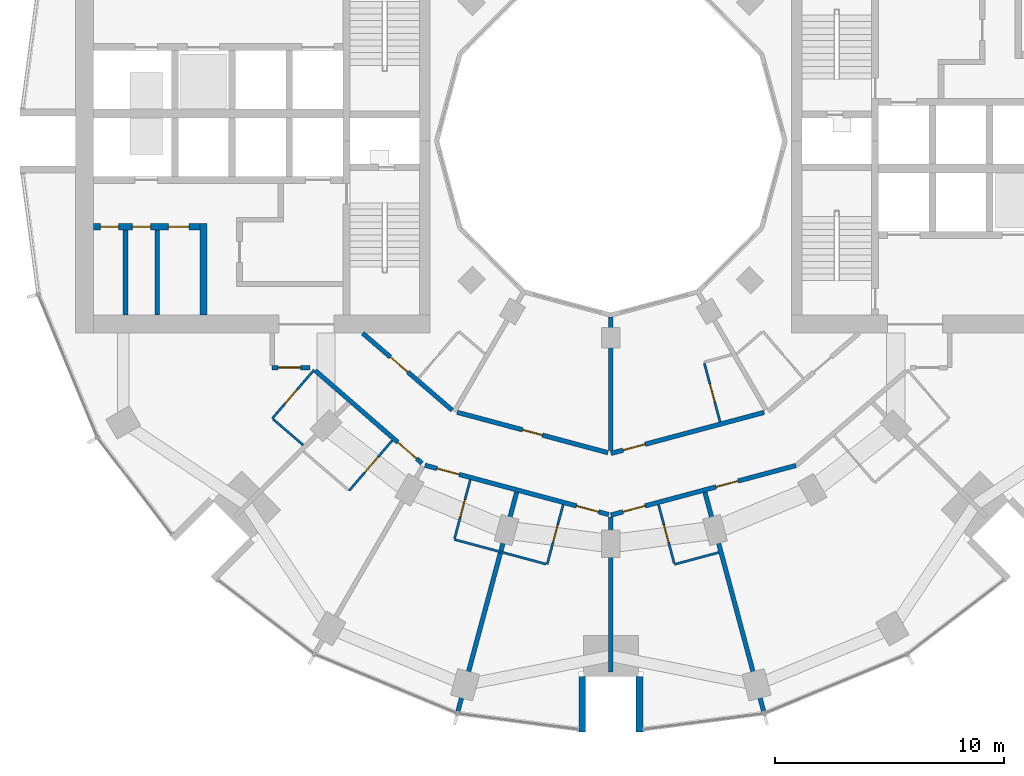
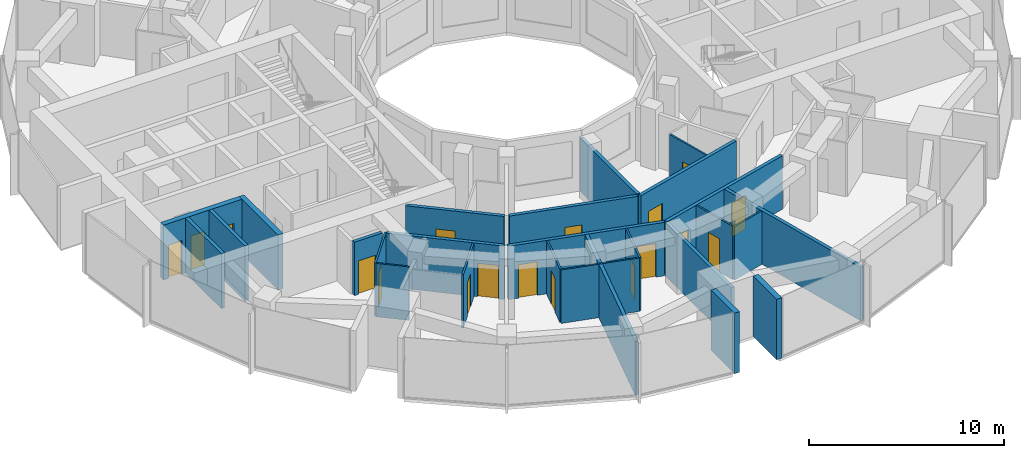
# One storey, part 8 of 15: 26 walls, 18 doors, 18 openings.
"""IFC4 building model written with IfcOpenShell, lengths in metres."""

from ifc_helpers import new_model, si_unit, direction, frame, frame_2d, origin, place, context, subcontext, project, spatial, rectangle, extrude, material, layer, layer_set, type_object, element, fill, save


model = new_model("IFC4")

# Units and contexts
model_context = context("Model", 3, precision=1e-05, world=origin(), true_north=direction((0.0, 1.0)))
body_context = subcontext(model_context, "Body", "Model", "MODEL_VIEW")
ifc_project = project(units=[si_unit("LENGTHUNIT", "METRE"), si_unit("AREAUNIT", "SQUARE_METRE"), si_unit("VOLUMEUNIT", "CUBIC_METRE"), si_unit("PLANEANGLEUNIT", "RADIAN"), si_unit("MASSUNIT", "GRAM", prefix="KILO")], contexts=[model_context])

# Site, building, storey
site_placement = place(None, origin())
site = spatial("IfcSite", under=ifc_project, at=site_placement, CompositionType="ELEMENT")
building_placement = place(site_placement, origin())
building = spatial("IfcBuilding", under=site, at=building_placement, Name="Torre Brocal", CompositionType="ELEMENT")
storey_placement = place(building_placement, frame((0.0, 0.0, 105.199951171875)))
storey = spatial("IfcBuildingStorey", under=building, at=storey_placement, Name="L24", CompositionType="ELEMENT", Elevation=105.199951171875)

# Walls
ifc_material_1 = material(Name="Masonry block", Category="masonry")
ifc_layer_1 = layer(ifc_material_1, 0.199951171875)
ifc_layer_set_1 = layer_set([ifc_layer_1], Name="Masonry block")
wall_type_1 = type_object("IfcWallType", Name="CORE PARTITION 200 UNDER 350 SLAB", PredefinedType="PARTITIONING", material=ifc_layer_set_1)
for number, where, z_axis, x_axis, name in (
    (1, (60.18994140625, 71.10009765625, 0.0), (0.0, 0.0, 1.0), (0.0, -1.0, 0.0), "Wall CP200-S350"),
    (2, (58.794921875, 71.10009765625, 0.0), (0.0, 0.0, 1.0), (0.0, -1.0, 0.0), "Wall CP200-S350"),
):
    element("IfcWall", number, at=place(storey_placement, frame(where, z_axis=z_axis, x_axis=x_axis)), inside=storey, type_object=wall_type_1, Name=name, PredefinedType="PARTITIONING", context=body_context, shape_type="SweptSolid", body=[
        extrude(rectangle(XDim=3.7001953125, YDim=0.199951171875, at=frame_2d((1.85009765625, 0.0))), origin(), (0.0, 0.0, 1.0), 3.449951171875),
    ])
ifc_material_2 = material(Name="Concrete C80", Category="concrete")
ifc_layer_2 = layer(ifc_material_2, 0.300048828125)
ifc_layer_set_2 = layer_set([ifc_layer_2], Name="Concrete C80")
wall_type_2 = type_object("IfcWallType", Name="CORE WALL 300 C80 UNDER 350 SLAB", PredefinedType="SHEAR", material=ifc_layer_set_2)
wall_1_placement = place(storey_placement, frame((62.199951171875, 71.39990234375, 0.0), z_axis=(0.0, 0.0, 1.0), x_axis=(0.0, -1.0, 0.0)))
element("IfcWall", 3, at=wall_1_placement, inside=storey, type_object=wall_type_2, Name="Wall CW300-80-S350", PredefinedType="SHEAR", context=body_context, shape_type="SweptSolid", body=[
    extrude(rectangle(XDim=4.0, YDim=0.300048828125, at=frame_2d((2.0, 0.0))), origin(), (0.0, 0.0, 1.0), 3.449951171875),
])

# Wall, openings, doors
wall_2_placement = place(storey_placement, frame((62.050048828125, 71.25, 0.0), z_axis=(0.0, 0.0, 1.0), x_axis=(-1.0, 0.0, 0.0)))
wall_2 = element("IfcWall", 4, at=wall_2_placement, inside=storey, type_object=wall_type_2, Name="Wall CW300-80-S350", PredefinedType="SHEAR", context=body_context, shape_type="SweptSolid", body=[
    extrude(rectangle(XDim=4.650146484375, YDim=0.300048828125, at=frame_2d((2.3251953125, 0.0))), origin(), (0.0, 0.0, 1.0), 3.449951171875),
])
opening_1_placement = place(wall_2_placement, frame((0.47998046875, 0.0, 0.0)))
opening_1 = element("IfcOpeningElement", 5, at=opening_1_placement, cuts=wall_2, Name="Opening W-D05", PredefinedType="OPENING", context=body_context, shape_type="SweptSolid", body=[
    extrude(rectangle(XDim=0.89990234375, YDim=2.10009765625, at=frame_2d((0.449951171875, 1.050048828125))), frame((0.0, 0.159912109375, 0.0), z_axis=(0.0, -1.0, 0.0), x_axis=(1.0, 0.0, 0.0)), (0.0, 0.0, 1.0), 0.320068359375),
])
opening_2_placement = place(wall_2_placement, frame((2.157470703125, 0.0, 0.0)))
opening_2 = element("IfcOpeningElement", 6, at=opening_2_placement, cuts=wall_2, Name="Opening W-D22", PredefinedType="OPENING", context=body_context, shape_type="SweptSolid", body=[
    extrude(rectangle(XDim=0.800048828125, YDim=2.10009765625, at=frame_2d((0.39990234375, 1.050048828125))), frame((0.0, 0.159912109375, 0.0), z_axis=(0.0, -1.0, 0.0), x_axis=(1.0, 0.0, 0.0)), (0.0, 0.0, 1.0), 0.320068359375),
])
opening_3_placement = place(wall_2_placement, frame((3.552490234375, 0.0, 0.0)))
opening_3 = element("IfcOpeningElement", 7, at=opening_3_placement, cuts=wall_2, Name="Opening W-D25", PredefinedType="OPENING", context=body_context, shape_type="SweptSolid", body=[
    extrude(rectangle(XDim=0.800048828125, YDim=2.10009765625, at=frame_2d((0.39990234375, 1.050048828125))), frame((0.0, 0.159912109375, 0.0), z_axis=(0.0, -1.0, 0.0), x_axis=(1.0, 0.0, 0.0)), (0.0, 0.0, 1.0), 0.320068359375),
])
ifc_material_3 = material(Name="Steel A653", Category="steel")
door_type_1 = type_object("IfcDoorType", Name="ROOM DOOR FD30S 800X2100", OperationType="SINGLE_SWING_LEFT", PredefinedType="DOOR", material=ifc_material_3)
door_1_placement = place(opening_2_placement, origin())
door_1 = element("IfcDoor", 8, at=door_1_placement, inside=storey, type_object=door_type_1, Name="Door W-D22", OperationType="SINGLE_SWING_RIGHT", OverallHeight=2.10009765625, OverallWidth=0.800048828125, PredefinedType="DOOR", context=body_context, shape_type="SweptSolid", body=[
    extrude(rectangle(XDim=0.800048828125, YDim=2.10009765625, at=frame_2d((0.39990234375, 1.050048828125))), frame((0.0, 0.02490234375, 0.0), z_axis=(0.0, -1.0, 0.0), x_axis=(1.0, 0.0, 0.0)), (0.0, 0.0, 1.0), 0.050048828125),
])
fill(opening_2, door_1)
door_2_placement = place(opening_3_placement, origin())
door_2 = element("IfcDoor", 9, at=door_2_placement, inside=storey, type_object=door_type_1, Name="Door W-D25", OperationType="SINGLE_SWING_LEFT", OverallHeight=2.10009765625, OverallWidth=0.800048828125, PredefinedType="DOOR", context=body_context, shape_type="SweptSolid", body=[
    extrude(rectangle(XDim=0.800048828125, YDim=2.10009765625, at=frame_2d((0.39990234375, 1.050048828125))), frame((0.0, 0.02490234375, 0.0), z_axis=(0.0, -1.0, 0.0), x_axis=(1.0, 0.0, 0.0)), (0.0, 0.0, 1.0), 0.050048828125),
])
fill(opening_3, door_2)
ifc_material_4 = material(Name="Steel A653", Category="steel")
door_type_2 = type_object("IfcDoorType", Name="ROOM DOOR FD30S 900X2100", OperationType="SINGLE_SWING_LEFT", PredefinedType="DOOR", material=ifc_material_4)
door_3_placement = place(opening_1_placement, origin())
door_3 = element("IfcDoor", 10, at=door_3_placement, inside=storey, type_object=door_type_2, Name="Door W-D05", OperationType="SINGLE_SWING_RIGHT", OverallHeight=2.10009765625, OverallWidth=0.89990234375, PredefinedType="DOOR", context=body_context, shape_type="SweptSolid", body=[
    extrude(rectangle(XDim=0.89990234375, YDim=2.10009765625, at=frame_2d((0.449951171875, 1.050048828125))), frame((0.0, 0.02490234375, 0.0), z_axis=(0.0, -1.0, 0.0), x_axis=(1.0, 0.0, 0.0)), (0.0, 0.0, 1.0), 0.050048828125),
])
fill(opening_1, door_3)

# Walls
ifc_material_5 = material(Name="Concrete C80", Category="concrete")
ifc_layer_3 = layer(ifc_material_5, 0.300048828125)
ifc_layer_set_3 = layer_set([ifc_layer_3], Name="Concrete C80")
wall_type_3 = type_object("IfcWallType", Name="NOTCH RETURN WALL 300 C80", PredefinedType="NOTDEFINED", material=ifc_layer_set_3)
for number, where, z_axis, x_axis, name in (
    (11, (78.75, 51.60009765625, 0.0), (0.0, 0.0, 1.0), (0.0, -1.0, 0.0), "NOTCH RETURN WALL"),
    (12, (81.25, 51.60009765625, 0.0), (0.0, 0.0, 1.0), (0.0, -1.0, 0.0), "NOTCH RETURN WALL"),
):
    element("IfcWall", number, at=place(storey_placement, frame(where, z_axis=z_axis, x_axis=x_axis)), inside=storey, type_object=wall_type_3, Name=name, PredefinedType="NOTDEFINED", context=body_context, shape_type="SweptSolid", body=[
        extrude(rectangle(XDim=2.415771484375, YDim=0.300048828125, at=frame_2d((1.2080078125, 0.0))), origin(), (0.0, 0.0, 1.0), 3.800048828125),
    ])
ifc_material_6 = material(Name="Gypsum board", Category="Gypsum")
ifc_layer_4 = layer(ifc_material_6, 0.10009765625)
ifc_layer_set_4 = layer_set([ifc_layer_4], Name="Gypsum board")
wall_type_4 = type_object("IfcWallType", Name="PARTITION 100", PredefinedType="PARTITIONING", material=ifc_layer_set_4)
wall_3_placement = place(storey_placement, frame((65.245849609375, 62.84228515625, 0.0), z_axis=(0.0, 0.0, 1.0), x_axis=(0.758030338995, -0.652219292234, 0.0)))
element("IfcWall", 13, at=wall_3_placement, inside=storey, type_object=wall_type_4, Name="BATHROOM WALL", PredefinedType="PARTITIONING", context=body_context, shape_type="SweptSolid", body=[
    extrude(rectangle(XDim=1.73046875, YDim=0.10009765625, at=frame_2d((0.865234375, 0.0))), origin(), (0.0, 0.0, 1.0), 3.35009765625),
])

# Wall, opening, door
wall_4_placement = place(storey_placement, frame((65.2080078125, 62.875, 0.0), z_axis=(0.0, 0.0, 1.0), x_axis=(0.65205430601, 0.758172264076, 0.0)))
wall_4 = element("IfcWall", 14, at=wall_4_placement, inside=storey, type_object=wall_type_4, Name="BATHROOM WALL", PredefinedType="PARTITIONING", context=body_context, shape_type="SweptSolid", body=[
    extrude(rectangle(XDim=2.7998046875, YDim=0.10009765625, at=frame_2d((1.39990234375, 0.0))), origin(), (0.0, 0.0, 1.0), 3.35009765625),
])
opening_4_placement = place(wall_4_placement, frame((0.85009765625, 0.0, 0.0)))
opening_4 = element("IfcOpeningElement", 15, at=opening_4_placement, cuts=wall_4, Name="Opening H07-D37", PredefinedType="OPENING", context=body_context, shape_type="SweptSolid", body=[
    extrude(rectangle(XDim=0.800048828125, YDim=2.10009765625, at=frame_2d((0.39990234375, 1.050048828125))), frame((0.0, 0.06005859375, 0.0), z_axis=(0.0, -1.0, 0.0), x_axis=(1.0, 0.0, 0.0)), (0.0, 0.0, 1.0), 0.1201171875),
])
ifc_material_7 = material(Name="Timber", Category="wood")
door_type_3 = type_object("IfcDoorType", Name="BATHROOM DOOR 800X2100", OperationType="SINGLE_SWING_LEFT", PredefinedType="DOOR", material=ifc_material_7)
door_4_placement = place(opening_4_placement, frame((0.800048828125, 0.0, 0.0), z_axis=(0.0, 0.0, 1.0), x_axis=(-1.0, 0.0, 0.0)))
door_4 = element("IfcDoor", 16, at=door_4_placement, inside=storey, type_object=door_type_3, Name="H07-D37", OperationType="SINGLE_SWING_RIGHT", OverallHeight=2.10009765625, OverallWidth=0.800048828125, PredefinedType="DOOR", context=body_context, shape_type="SweptSolid", body=[
    extrude(rectangle(XDim=0.800048828125, YDim=2.10009765625, at=frame_2d((0.39990234375, 1.050048828125))), frame((0.0, 0.02490234375, 0.0), z_axis=(0.0, -1.0, 0.0), x_axis=(1.0, 0.0, 0.0)), (0.0, 0.0, 1.0), 0.050048828125),
])
fill(opening_4, door_4)

wall_5_placement = place(storey_placement, frame((68.56591796875, 59.721923828125, 0.0), z_axis=(0.0, 0.0, 1.0), x_axis=(0.65193146671, 0.758277892803, 0.0)))
wall_5 = element("IfcWall", 17, at=wall_5_placement, inside=storey, type_object=wall_type_4, Name="BATHROOM WALL", PredefinedType="PARTITIONING", context=body_context, shape_type="SweptSolid", body=[
    extrude(rectangle(XDim=2.890380859375, YDim=0.10009765625, at=frame_2d((1.4453125, 0.0))), origin(), (0.0, 0.0, 1.0), 3.35009765625),
])
opening_5_placement = place(wall_5_placement, frame((1.050048828125, 0.0, 0.0)))
opening_5 = element("IfcOpeningElement", 18, at=opening_5_placement, cuts=wall_5, Name="Opening H07-D35", PredefinedType="OPENING", context=body_context, shape_type="SweptSolid", body=[
    extrude(rectangle(XDim=0.89990234375, YDim=2.10009765625, at=frame_2d((0.449951171875, 1.050048828125))), frame((0.0, 0.06005859375, 0.0), z_axis=(0.0, -1.0, 0.0), x_axis=(1.0, 0.0, 0.0)), (0.0, 0.0, 1.0), 0.1201171875),
])
ifc_material_8 = material(Name="Timber", Category="wood")
door_type_4 = type_object("IfcDoorType", Name="ACCESSIBLE BATHROOM DOOR 900X2100", OperationType="SINGLE_SWING_LEFT", PredefinedType="DOOR", material=ifc_material_8)
door_5_placement = place(opening_5_placement, origin())
door_5 = element("IfcDoor", 19, at=door_5_placement, inside=storey, type_object=door_type_4, Name="H07-D35", OperationType="SINGLE_SWING_RIGHT", OverallHeight=2.10009765625, OverallWidth=0.89990234375, PredefinedType="DOOR", context=body_context, shape_type="SweptSolid", body=[
    extrude(rectangle(XDim=0.89990234375, YDim=2.10009765625, at=frame_2d((0.449951171875, 1.050048828125))), frame((0.0, 0.02490234375, 0.0), z_axis=(0.0, -1.0, 0.0), x_axis=(1.0, 0.0, 0.0)), (0.0, 0.0, 1.0), 0.050048828125),
])
fill(opening_5, door_5)

wall_6_placement = place(storey_placement, frame((73.173828125, 57.63623046875, 0.0), z_axis=(0.0, 0.0, 1.0), x_axis=(0.258952498977, 0.96589005755, 0.0)))
wall_6 = element("IfcWall", 20, at=wall_6_placement, inside=storey, type_object=wall_type_4, Name="BATHROOM WALL", PredefinedType="PARTITIONING", context=body_context, shape_type="SweptSolid", body=[
    extrude(rectangle(XDim=2.650146484375, YDim=0.10009765625, at=frame_2d((1.3251953125, 0.0))), origin(), (0.0, 0.0, 1.0), 3.35009765625),
])
opening_6_placement = place(wall_6_placement, frame((0.9501953125, 0.0, 0.0)))
opening_6 = element("IfcOpeningElement", 21, at=opening_6_placement, cuts=wall_6, Name="Opening H07-D33", PredefinedType="OPENING", context=body_context, shape_type="SweptSolid", body=[
    extrude(rectangle(XDim=0.800048828125, YDim=2.10009765625, at=frame_2d((0.39990234375, 1.050048828125))), frame((0.0, 0.06005859375, 0.0), z_axis=(0.0, -1.0, 0.0), x_axis=(1.0, 0.0, 0.0)), (0.0, 0.0, 1.0), 0.1201171875),
])
door_6_placement = place(opening_6_placement, frame((0.800048828125, 0.0, 0.0), z_axis=(0.0, 0.0, 1.0), x_axis=(-1.0, 0.0, 0.0)))
door_6 = element("IfcDoor", 22, at=door_6_placement, inside=storey, type_object=door_type_3, Name="H07-D33", OperationType="SINGLE_SWING_LEFT", OverallHeight=2.10009765625, OverallWidth=0.800048828125, PredefinedType="DOOR", context=body_context, shape_type="SweptSolid", body=[
    extrude(rectangle(XDim=0.800048828125, YDim=2.10009765625, at=frame_2d((0.39990234375, 1.050048828125))), frame((0.0, 0.02490234375, 0.0), z_axis=(0.0, -1.0, 0.0), x_axis=(1.0, 0.0, 0.0)), (0.0, 0.0, 1.0), 0.050048828125),
])
fill(opening_6, door_6)

# Wall
wall_7_placement = place(storey_placement, frame((73.160888671875, 57.587890625, 0.0), z_axis=(0.0, 0.0, 1.0), x_axis=(0.965858994467, -0.259068336173, 0.0)))
element("IfcWall", 23, at=wall_7_placement, inside=storey, type_object=wall_type_4, Name="BATHROOM WALL", PredefinedType="PARTITIONING", context=body_context, shape_type="SweptSolid", body=[
    extrude(rectangle(XDim=4.150146484375, YDim=0.10009765625, at=frame_2d((2.0751953125, 0.0))), origin(), (0.0, 0.0, 1.0), 3.35009765625),
])

# Wall, opening, door
wall_8_placement = place(storey_placement, frame((77.218017578125, 56.5009765625, 0.0), z_axis=(0.0, 0.0, 1.0), x_axis=(0.258591408257, 0.965986792651, 0.0)))
wall_8 = element("IfcWall", 24, at=wall_8_placement, inside=storey, type_object=wall_type_4, Name="BATHROOM WALL", PredefinedType="PARTITIONING", context=body_context, shape_type="SweptSolid", body=[
    extrude(rectangle(XDim=2.69921875, YDim=0.10009765625, at=frame_2d((1.349609375, 0.0))), origin(), (0.0, 0.0, 1.0), 3.35009765625),
])
opening_7_placement = place(wall_8_placement, frame((0.99951171875, 0.0, 0.0)))
opening_7 = element("IfcOpeningElement", 25, at=opening_7_placement, cuts=wall_8, Name="Opening H07-D31", PredefinedType="OPENING", context=body_context, shape_type="SweptSolid", body=[
    extrude(rectangle(XDim=0.800048828125, YDim=2.10009765625, at=frame_2d((0.39990234375, 1.050048828125))), frame((0.0, 0.06005859375, 0.0), z_axis=(0.0, -1.0, 0.0), x_axis=(1.0, 0.0, 0.0)), (0.0, 0.0, 1.0), 0.1201171875),
])
door_7_placement = place(opening_7_placement, origin())
door_7 = element("IfcDoor", 26, at=door_7_placement, inside=storey, type_object=door_type_3, Name="H07-D31", OperationType="SINGLE_SWING_RIGHT", OverallHeight=2.10009765625, OverallWidth=0.800048828125, PredefinedType="DOOR", context=body_context, shape_type="SweptSolid", body=[
    extrude(rectangle(XDim=0.800048828125, YDim=2.10009765625, at=frame_2d((0.39990234375, 1.050048828125))), frame((0.0, 0.02490234375, 0.0), z_axis=(0.0, -1.0, 0.0), x_axis=(1.0, 0.0, 0.0)), (0.0, 0.0, 1.0), 0.050048828125),
])
fill(opening_7, door_7)

wall_9_placement = place(storey_placement, frame((82.083984375, 59.1083984375, 0.0), z_axis=(0.0, 0.0, 1.0), x_axis=(0.258591746437, -0.965986702121, 0.0)))
wall_9 = element("IfcWall", 27, at=wall_9_placement, inside=storey, type_object=wall_type_4, Name="BATHROOM WALL", PredefinedType="PARTITIONING", context=body_context, shape_type="SweptSolid", body=[
    extrude(rectangle(XDim=2.649169921875, YDim=0.10009765625, at=frame_2d((1.32470703125, 0.0))), origin(), (0.0, 0.0, 1.0), 3.35009765625),
])
opening_8_placement = place(wall_9_placement, frame((0.899658203125, 0.0, 0.0)))
opening_8 = element("IfcOpeningElement", 28, at=opening_8_placement, cuts=wall_9, Name="Opening H07-D29", PredefinedType="OPENING", context=body_context, shape_type="SweptSolid", body=[
    extrude(rectangle(XDim=0.800048828125, YDim=2.10009765625, at=frame_2d((0.39990234375, 1.050048828125))), frame((0.0, 0.06005859375, 0.0), z_axis=(0.0, -1.0, 0.0), x_axis=(1.0, 0.0, 0.0)), (0.0, 0.0, 1.0), 0.1201171875),
])
door_8_placement = place(opening_8_placement, origin())
door_8 = element("IfcDoor", 29, at=door_8_placement, inside=storey, type_object=door_type_3, Name="H07-D29", OperationType="SINGLE_SWING_LEFT", OverallHeight=2.10009765625, OverallWidth=0.800048828125, PredefinedType="DOOR", context=body_context, shape_type="SweptSolid", body=[
    extrude(rectangle(XDim=0.800048828125, YDim=2.10009765625, at=frame_2d((0.39990234375, 1.050048828125))), frame((0.0, 0.02490234375, 0.0), z_axis=(0.0, -1.0, 0.0), x_axis=(1.0, 0.0, 0.0)), (0.0, 0.0, 1.0), 0.050048828125),
])
fill(opening_8, door_8)

# Wall
wall_10_placement = place(storey_placement, frame((82.781982421875, 56.5009765625, 0.0), z_axis=(0.0, 0.0, 1.0), x_axis=(0.966003594778, 0.258528634539, 0.0)))
element("IfcWall", 30, at=wall_10_placement, inside=storey, type_object=wall_type_4, Name="BATHROOM WALL", PredefinedType="PARTITIONING", context=body_context, shape_type="SweptSolid", body=[
    extrude(rectangle(XDim=2.000244140625, YDim=0.10009765625, at=frame_2d((1.0, 0.0))), origin(), (0.0, 0.0, 1.0), 3.35009765625),
])

# Wall, opening, door
wall_11_placement = place(storey_placement, frame((84.0869140625, 65.288818359375, 0.0), z_axis=(0.0, 0.0, 1.0), x_axis=(0.258929459649, -0.965896234037, 0.0)))
wall_11 = element("IfcWall", 31, at=wall_11_placement, inside=storey, type_object=wall_type_4, Name="BATHROOM WALL", PredefinedType="PARTITIONING", context=body_context, shape_type="SweptSolid", body=[
    extrude(rectangle(XDim=2.650390625, YDim=0.10009765625, at=frame_2d((1.3251953125, 0.0))), origin(), (0.0, 0.0, 1.0), 3.35009765625),
])
opening_9_placement = place(wall_11_placement, frame((0.9501953125, 0.0, 0.0)))
opening_9 = element("IfcOpeningElement", 32, at=opening_9_placement, cuts=wall_11, Name="Opening H07-D41", PredefinedType="OPENING", context=body_context, shape_type="SweptSolid", body=[
    extrude(rectangle(XDim=0.800048828125, YDim=2.10009765625, at=frame_2d((0.39990234375, 1.050048828125))), frame((0.0, 0.06005859375, 0.0), z_axis=(0.0, -1.0, 0.0), x_axis=(1.0, 0.0, 0.0)), (0.0, 0.0, 1.0), 0.1201171875),
])
door_9_placement = place(opening_9_placement, origin())
door_9 = element("IfcDoor", 33, at=door_9_placement, inside=storey, type_object=door_type_3, Name="H07-D41", OperationType="SINGLE_SWING_RIGHT", OverallHeight=2.10009765625, OverallWidth=0.800048828125, PredefinedType="DOOR", context=body_context, shape_type="SweptSolid", body=[
    extrude(rectangle(XDim=0.800048828125, YDim=2.10009765625, at=frame_2d((0.39990234375, 1.050048828125))), frame((0.0, 0.02490234375, 0.0), z_axis=(0.0, -1.0, 0.0), x_axis=(1.0, 0.0, 0.0)), (0.0, 0.0, 1.0), 0.050048828125),
])
fill(opening_9, door_9)

ifc_material_9 = material(Name="Gypsum board", Category="Gypsum")
ifc_layer_5 = layer(ifc_material_9, 0.199951171875)
ifc_layer_set_5 = layer_set([ifc_layer_5], Name="Gypsum board")
wall_type_5 = type_object("IfcWallType", Name="PARTITION 200 EI60", PredefinedType="PARTITIONING", material=ifc_layer_set_5)
wall_12_placement = place(storey_placement, frame((65.199951171875, 65.10009765625, 0.0), z_axis=(0.0, 0.0, 1.0), x_axis=(1.0, 0.0, 0.0)))
wall_12 = element("IfcWall", 34, at=wall_12_placement, inside=storey, type_object=wall_type_5, Name="GUESTROOM CORRIDOR WALL", PredefinedType="PARTITIONING", context=body_context, shape_type="SweptSolid", body=[
    extrude(rectangle(XDim=1.6650390625, YDim=0.199951171875, at=frame_2d((0.83251953125, 0.0))), origin(), (0.0, 0.0, 1.0), 3.35009765625),
])
opening_10_placement = place(wall_12_placement, frame((0.25, 0.0, 0.0)))
opening_10 = element("IfcOpeningElement", 35, at=opening_10_placement, cuts=wall_12, Name="Opening H07-D36", PredefinedType="OPENING", context=body_context, shape_type="SweptSolid", body=[
    extrude(rectangle(XDim=1.0, YDim=2.10009765625, at=frame_2d((0.5, 1.050048828125))), frame((0.0, 0.10986328125, 0.0), z_axis=(0.0, -1.0, 0.0), x_axis=(1.0, 0.0, 0.0)), (0.0, 0.0, 1.0), 0.219970703125),
])
ifc_material_10 = material(Name="Timber", Category="wood")
door_type_5 = type_object("IfcDoorType", Name="FLAT ENTRY DOOR FD30S 1000X2100", OperationType="SINGLE_SWING_RIGHT", PredefinedType="DOOR", material=ifc_material_10)
door_10_placement = place(opening_10_placement, frame((1.0, 0.0, 0.0), z_axis=(0.0, 0.0, 1.0), x_axis=(-1.0, 0.0, 0.0)))
door_10 = element("IfcDoor", 36, at=door_10_placement, inside=storey, type_object=door_type_5, Name="H07-D36", OperationType="SINGLE_SWING_RIGHT", OverallHeight=2.10009765625, OverallWidth=1.0, PredefinedType="DOOR", context=body_context, shape_type="SweptSolid", body=[
    extrude(rectangle(XDim=1.0, YDim=2.10009765625, at=frame_2d((0.5, 1.050048828125))), frame((0.0, 0.02490234375, 0.0), z_axis=(0.0, -1.0, 0.0), x_axis=(1.0, 0.0, 0.0)), (0.0, 0.0, 1.0), 0.050048828125),
])
fill(opening_10, door_10)

wall_13_placement = place(storey_placement, frame((67.08203125, 64.971923828125, 0.0), z_axis=(0.0, 0.0, 1.0), x_axis=(0.755033632617, -0.655686063309, 0.0)))
wall_13 = element("IfcWall", 37, at=wall_13_placement, inside=storey, type_object=wall_type_5, Name="GUESTROOM CORRIDOR WALL", PredefinedType="PARTITIONING", context=body_context, shape_type="SweptSolid", body=[
    extrude(rectangle(XDim=6.185302734375, YDim=0.199951171875, at=frame_2d((3.0927734375, 0.0))), origin(), (0.0, 0.0, 1.0), 3.35009765625),
])
opening_11_placement = place(wall_13_placement, frame((4.778076171875, 0.0, 0.0)))
opening_11 = element("IfcOpeningElement", 38, at=opening_11_placement, cuts=wall_13, Name="Opening H07-D34", PredefinedType="OPENING", context=body_context, shape_type="SweptSolid", body=[
    extrude(rectangle(XDim=1.10009765625, YDim=2.10009765625, at=frame_2d((0.550048828125, 1.050048828125))), frame((0.0, 0.10986328125, 0.0), z_axis=(0.0, -1.0, 0.0), x_axis=(1.0, 0.0, 0.0)), (0.0, 0.0, 1.0), 0.219970703125),
])
ifc_material_11 = material(Name="Timber", Category="wood")
door_type_6 = type_object("IfcDoorType", Name="ACCESSIBLE ENTRY DOOR FD30S 1100X2100", OperationType="SINGLE_SWING_RIGHT", PredefinedType="DOOR", material=ifc_material_11)
door_11_placement = place(opening_11_placement, frame((1.10009765625, 0.0, 0.0), z_axis=(0.0, 0.0, 1.0), x_axis=(-1.0, 0.0, 0.0)))
door_11 = element("IfcDoor", 39, at=door_11_placement, inside=storey, type_object=door_type_6, Name="H07-D34", OperationType="SINGLE_SWING_RIGHT", OverallHeight=2.10009765625, OverallWidth=1.10009765625, PredefinedType="DOOR", context=body_context, shape_type="SweptSolid", body=[
    extrude(rectangle(XDim=1.10009765625, YDim=2.10009765625, at=frame_2d((0.550048828125, 1.050048828125))), frame((0.0, 0.02490234375, 0.0), z_axis=(0.0, -1.0, 0.0), x_axis=(1.0, 0.0, 0.0)), (0.0, 0.0, 1.0), 0.050048828125),
])
fill(opening_11, door_11)

wall_14_placement = place(storey_placement, frame((69.158203125, 66.60009765625, 0.0), z_axis=(0.0, 0.0, 1.0), x_axis=(0.757976058094, -0.652282373943, 0.0)))
wall_14 = element("IfcWall", 40, at=wall_14_placement, inside=storey, type_object=wall_type_5, Name="GUESTROOM CORRIDOR WALL", PredefinedType="PARTITIONING", context=body_context, shape_type="SweptSolid", body=[
    extrude(rectangle(XDim=5.160400390625, YDim=0.199951171875, at=frame_2d((2.580078125, 0.0))), origin(), (0.0, 0.0, 1.0), 3.35009765625),
])
opening_12_placement = place(wall_14_placement, frame((1.60009765625, 0.0, 0.0)))
opening_12 = element("IfcOpeningElement", 41, at=opening_12_placement, cuts=wall_14, Name="Opening H07-D43", PredefinedType="OPENING", context=body_context, shape_type="SweptSolid", body=[
    extrude(rectangle(XDim=1.0, YDim=2.10009765625, at=frame_2d((0.5, 1.050048828125))), frame((0.0, 0.10986328125, 0.0), z_axis=(0.0, -1.0, 0.0), x_axis=(1.0, 0.0, 0.0)), (0.0, 0.0, 1.0), 0.219970703125),
])
door_12_placement = place(opening_12_placement, origin())
door_12 = element("IfcDoor", 42, at=door_12_placement, inside=storey, type_object=door_type_5, Name="H07-D43", OperationType="SINGLE_SWING_RIGHT", OverallHeight=2.10009765625, OverallWidth=1.0, PredefinedType="DOOR", context=body_context, shape_type="SweptSolid", body=[
    extrude(rectangle(XDim=1.0, YDim=2.10009765625, at=frame_2d((0.5, 1.050048828125))), frame((0.0, 0.02490234375, 0.0), z_axis=(0.0, -1.0, 0.0), x_axis=(1.0, 0.0, 0.0)), (0.0, 0.0, 1.0), 0.050048828125),
])
fill(opening_12, door_12)

# Wall, openings, doors
wall_15_placement = place(storey_placement, frame((71.877197265625, 60.83154296875, 0.0), z_axis=(0.0, 0.0, 1.0), x_axis=(0.965852509869, -0.259092510851, 0.0)))
wall_15 = element("IfcWall", 43, at=wall_15_placement, inside=storey, type_object=wall_type_5, Name="GUESTROOM CORRIDOR WALL", PredefinedType="PARTITIONING", context=body_context, shape_type="SweptSolid", body=[
    extrude(rectangle(XDim=8.319580078125, YDim=0.199951171875, at=frame_2d((4.15966796875, 0.0))), origin(), (0.0, 0.0, 1.0), 3.35009765625),
])
opening_13_placement = place(wall_15_placement, frame((6.859619140625, 0.0, 0.0)))
opening_13 = element("IfcOpeningElement", 44, at=opening_13_placement, cuts=wall_15, Name="Opening H07-D30", PredefinedType="OPENING", context=body_context, shape_type="SweptSolid", body=[
    extrude(rectangle(XDim=1.0, YDim=2.10009765625, at=frame_2d((0.5, 1.050048828125))), frame((0.0, 0.10986328125, 0.0), z_axis=(0.0, -1.0, 0.0), x_axis=(1.0, 0.0, 0.0)), (0.0, 0.0, 1.0), 0.219970703125),
])
opening_14_placement = place(wall_15_placement, frame((0.550048828125, 0.0, 0.0)))
opening_14 = element("IfcOpeningElement", 45, at=opening_14_placement, cuts=wall_15, Name="Opening H07-D32", PredefinedType="OPENING", context=body_context, shape_type="SweptSolid", body=[
    extrude(rectangle(XDim=1.0, YDim=2.10009765625, at=frame_2d((0.5, 1.050048828125))), frame((0.0, 0.10986328125, 0.0), z_axis=(0.0, -1.0, 0.0), x_axis=(1.0, 0.0, 0.0)), (0.0, 0.0, 1.0), 0.219970703125),
])
door_13_placement = place(opening_13_placement, frame((1.0, 0.0, 0.0), z_axis=(0.0, 0.0, 1.0), x_axis=(-1.0, 0.0, 0.0)))
door_13 = element("IfcDoor", 46, at=door_13_placement, inside=storey, type_object=door_type_5, Name="H07-D30", OperationType="SINGLE_SWING_RIGHT", OverallHeight=2.10009765625, OverallWidth=1.0, PredefinedType="DOOR", context=body_context, shape_type="SweptSolid", body=[
    extrude(rectangle(XDim=1.0, YDim=2.10009765625, at=frame_2d((0.5, 1.050048828125))), frame((0.0, 0.02490234375, 0.0), z_axis=(0.0, -1.0, 0.0), x_axis=(1.0, 0.0, 0.0)), (0.0, 0.0, 1.0), 0.050048828125),
])
fill(opening_13, door_13)
door_14_placement = place(opening_14_placement, frame((1.0, 0.0, 0.0), z_axis=(0.0, 0.0, 1.0), x_axis=(-1.0, 0.0, 0.0)))
door_14 = element("IfcDoor", 47, at=door_14_placement, inside=storey, type_object=door_type_5, Name="H07-D32", OperationType="SINGLE_SWING_LEFT", OverallHeight=2.10009765625, OverallWidth=1.0, PredefinedType="DOOR", context=body_context, shape_type="SweptSolid", body=[
    extrude(rectangle(XDim=1.0, YDim=2.10009765625, at=frame_2d((0.5, 1.050048828125))), frame((0.0, 0.02490234375, 0.0), z_axis=(0.0, -1.0, 0.0), x_axis=(1.0, 0.0, 0.0)), (0.0, 0.0, 1.0), 0.050048828125),
])
fill(opening_14, door_14)

# Wall, opening, door
wall_16_placement = place(storey_placement, frame((73.287109375, 63.14501953125, 0.0), z_axis=(0.0, 0.0, 1.0), x_axis=(0.965906180248, -0.258892353997, 0.0)))
wall_16 = element("IfcWall", 48, at=wall_16_placement, inside=storey, type_object=wall_type_5, Name="GUESTROOM CORRIDOR WALL", PredefinedType="PARTITIONING", context=body_context, shape_type="SweptSolid", body=[
    extrude(rectangle(XDim=6.81982421875, YDim=0.199951171875, at=frame_2d((3.409912109375, 0.0))), origin(), (0.0, 0.0, 1.0), 3.35009765625),
])
opening_15_placement = place(wall_16_placement, frame((2.955810546875, 0.0, 0.0)))
opening_15 = element("IfcOpeningElement", 49, at=opening_15_placement, cuts=wall_16, Name="Opening H07-D42", PredefinedType="OPENING", context=body_context, shape_type="SweptSolid", body=[
    extrude(rectangle(XDim=0.89990234375, YDim=2.10009765625, at=frame_2d((0.449951171875, 1.050048828125))), frame((0.0, 0.10986328125, 0.0), z_axis=(0.0, -1.0, 0.0), x_axis=(1.0, 0.0, 0.0)), (0.0, 0.0, 1.0), 0.219970703125),
])
ifc_material_12 = material(Name="Timber", Category="wood")
door_type_7 = type_object("IfcDoorType", Name="ROOM DOOR 900X2100", OperationType="SINGLE_SWING_LEFT", PredefinedType="DOOR", material=ifc_material_12)
door_15_placement = place(opening_15_placement, origin())
door_15 = element("IfcDoor", 50, at=door_15_placement, inside=storey, type_object=door_type_7, Name="H07-D42", OperationType="SINGLE_SWING_LEFT", OverallHeight=2.10009765625, OverallWidth=0.89990234375, PredefinedType="DOOR", context=body_context, shape_type="SweptSolid", body=[
    extrude(rectangle(XDim=0.89990234375, YDim=2.10009765625, at=frame_2d((0.449951171875, 1.050048828125))), frame((0.0, 0.02490234375, 0.0), z_axis=(0.0, -1.0, 0.0), x_axis=(1.0, 0.0, 0.0)), (0.0, 0.0, 1.0), 0.050048828125),
])
fill(opening_15, door_15)

# Walls
wall_17_placement = place(storey_placement, frame((73.3203125, 50.08154296875, 0.0), z_axis=(0.0, 0.0, 1.0), x_axis=(0.258889198551, 0.965907025999, 0.0)))
element("IfcWall", 51, at=wall_17_placement, inside=storey, type_object=wall_type_5, Name="BATHROOM WALL", PredefinedType="PARTITIONING", context=body_context, shape_type="SweptSolid", body=[
    extrude(rectangle(XDim=9.909423828125, YDim=0.199951171875, at=frame_2d((4.95458984375, 0.0))), origin(), (0.0, 0.0, 1.0), 3.35009765625),
])
wall_18_placement = place(storey_placement, frame((80.0, 51.800048828125, 0.0), z_axis=(0.0, 0.0, 1.0), x_axis=(0.0, 1.0, 0.0)))
element("IfcWall", 52, at=wall_18_placement, inside=storey, type_object=wall_type_5, Name="PARTY PARTITION", PredefinedType="PARTITIONING", context=body_context, shape_type="SweptSolid", body=[
    extrude(rectangle(XDim=6.763916015625, YDim=0.199951171875, at=frame_2d((3.3818359375, 0.0))), origin(), (0.0, 0.0, 1.0), 3.35009765625),
])

# Wall, openings, doors
wall_19_placement = place(storey_placement, frame((80.0, 58.654296875, 0.0), z_axis=(0.0, 0.0, 1.0), x_axis=(0.965979808777, 0.25861749561, 0.0)))
wall_19 = element("IfcWall", 53, at=wall_19_placement, inside=storey, type_object=wall_type_5, Name="GUESTROOM CORRIDOR WALL", PredefinedType="PARTITIONING", context=body_context, shape_type="SweptSolid", body=[
    extrude(rectangle(XDim=8.36962890625, YDim=0.199951171875, at=frame_2d((4.184814453125, 0.0))), origin(), (0.0, 0.0, 1.0), 3.35009765625),
])
opening_16_placement = place(wall_19_placement, frame((4.760498046875, 0.0, 0.0)))
opening_16 = element("IfcOpeningElement", 54, at=opening_16_placement, cuts=wall_19, Name="Opening H07-D26", PredefinedType="OPENING", context=body_context, shape_type="SweptSolid", body=[
    extrude(rectangle(XDim=1.0, YDim=2.10009765625, at=frame_2d((0.5, 1.050048828125))), frame((0.0, 0.10986328125, 0.0), z_axis=(0.0, -1.0, 0.0), x_axis=(1.0, 0.0, 0.0)), (0.0, 0.0, 1.0), 0.219970703125),
])
opening_17_placement = place(wall_19_placement, frame((0.550048828125, 0.0, 0.0)))
opening_17 = element("IfcOpeningElement", 55, at=opening_17_placement, cuts=wall_19, Name="Opening H07-D28", PredefinedType="OPENING", context=body_context, shape_type="SweptSolid", body=[
    extrude(rectangle(XDim=1.0, YDim=2.10009765625, at=frame_2d((0.5, 1.050048828125))), frame((0.0, 0.10986328125, 0.0), z_axis=(0.0, -1.0, 0.0), x_axis=(1.0, 0.0, 0.0)), (0.0, 0.0, 1.0), 0.219970703125),
])
door_16_placement = place(opening_16_placement, frame((1.0, 0.0, 0.0), z_axis=(0.0, 0.0, 1.0), x_axis=(-1.0, 0.0, 0.0)))
door_16 = element("IfcDoor", 56, at=door_16_placement, inside=storey, type_object=door_type_5, Name="H07-D26", OperationType="SINGLE_SWING_RIGHT", OverallHeight=2.10009765625, OverallWidth=1.0, PredefinedType="DOOR", context=body_context, shape_type="SweptSolid", body=[
    extrude(rectangle(XDim=1.0, YDim=2.10009765625, at=frame_2d((0.5, 1.050048828125))), frame((0.0, 0.02490234375, 0.0), z_axis=(0.0, -1.0, 0.0), x_axis=(1.0, 0.0, 0.0)), (0.0, 0.0, 1.0), 0.050048828125),
])
fill(opening_16, door_16)
door_17_placement = place(opening_17_placement, frame((1.0, 0.0, 0.0), z_axis=(0.0, 0.0, 1.0), x_axis=(-1.0, 0.0, 0.0)))
door_17 = element("IfcDoor", 57, at=door_17_placement, inside=storey, type_object=door_type_5, Name="H07-D28", OperationType="SINGLE_SWING_LEFT", OverallHeight=2.10009765625, OverallWidth=1.0, PredefinedType="DOOR", context=body_context, shape_type="SweptSolid", body=[
    extrude(rectangle(XDim=1.0, YDim=2.10009765625, at=frame_2d((0.5, 1.050048828125))), frame((0.0, 0.02490234375, 0.0), z_axis=(0.0, -1.0, 0.0), x_axis=(1.0, 0.0, 0.0)), (0.0, 0.0, 1.0), 0.050048828125),
])
fill(opening_17, door_17)

# Wall
wall_20_placement = place(storey_placement, frame((80.0, 61.47607421875, 0.0), z_axis=(0.0, 0.0, 1.0), x_axis=(0.0, 1.0, 0.0)))
element("IfcWall", 58, at=wall_20_placement, inside=storey, type_object=wall_type_5, Name="SERVICE ROOM WALL", PredefinedType="PARTITIONING", context=body_context, shape_type="SweptSolid", body=[
    extrude(rectangle(XDim=5.824951171875, YDim=0.199951171875, at=frame_2d((2.91259765625, 0.0))), origin(), (0.0, 0.0, 1.0), 3.35009765625),
])

# Wall, opening, door
wall_21_placement = place(storey_placement, frame((80.0, 61.345947265625, 0.0), z_axis=(0.0, 0.0, 1.0), x_axis=(0.965924181808, 0.258825182312, 0.0)))
wall_21 = element("IfcWall", 59, at=wall_21_placement, inside=storey, type_object=wall_type_5, Name="GUESTROOM CORRIDOR WALL", PredefinedType="PARTITIONING", context=body_context, shape_type="SweptSolid", body=[
    extrude(rectangle(XDim=6.939697265625, YDim=0.199951171875, at=frame_2d((3.4697265625, 0.0))), origin(), (0.0, 0.0, 1.0), 3.35009765625),
])
opening_18_placement = place(wall_21_placement, frame((0.550048828125, 0.0, 0.0)))
opening_18 = element("IfcOpeningElement", 60, at=opening_18_placement, cuts=wall_21, Name="Opening H07-D40", PredefinedType="OPENING", context=body_context, shape_type="SweptSolid", body=[
    extrude(rectangle(XDim=1.0, YDim=2.10009765625, at=frame_2d((0.5, 1.050048828125))), frame((0.0, 0.10986328125, 0.0), z_axis=(0.0, -1.0, 0.0), x_axis=(1.0, 0.0, 0.0)), (0.0, 0.0, 1.0), 0.219970703125),
])
door_18_placement = place(opening_18_placement, origin())
door_18 = element("IfcDoor", 61, at=door_18_placement, inside=storey, type_object=door_type_5, Name="H07-D40", OperationType="SINGLE_SWING_LEFT", OverallHeight=2.10009765625, OverallWidth=1.0, PredefinedType="DOOR", context=body_context, shape_type="SweptSolid", body=[
    extrude(rectangle(XDim=1.0, YDim=2.10009765625, at=frame_2d((0.5, 1.050048828125))), frame((0.0, 0.02490234375, 0.0), z_axis=(0.0, -1.0, 0.0), x_axis=(1.0, 0.0, 0.0)), (0.0, 0.0, 1.0), 0.050048828125),
])
fill(opening_18, door_18)

# Wall
wall_22_placement = place(storey_placement, frame((84.1123046875, 59.651611328125, 0.0), z_axis=(0.0, 0.0, 1.0), x_axis=(0.25878658041, -0.965934524593, 0.0)))
element("IfcWall", 62, at=wall_22_placement, inside=storey, type_object=wall_type_5, Name="BATHROOM WALL", PredefinedType="PARTITIONING", context=body_context, shape_type="SweptSolid", body=[
    extrude(rectangle(XDim=9.90869140625, YDim=0.199951171875, at=frame_2d((4.954345703125, 0.0))), origin(), (0.0, 0.0, 1.0), 3.35009765625),
])

save(model, "model.ifc")
